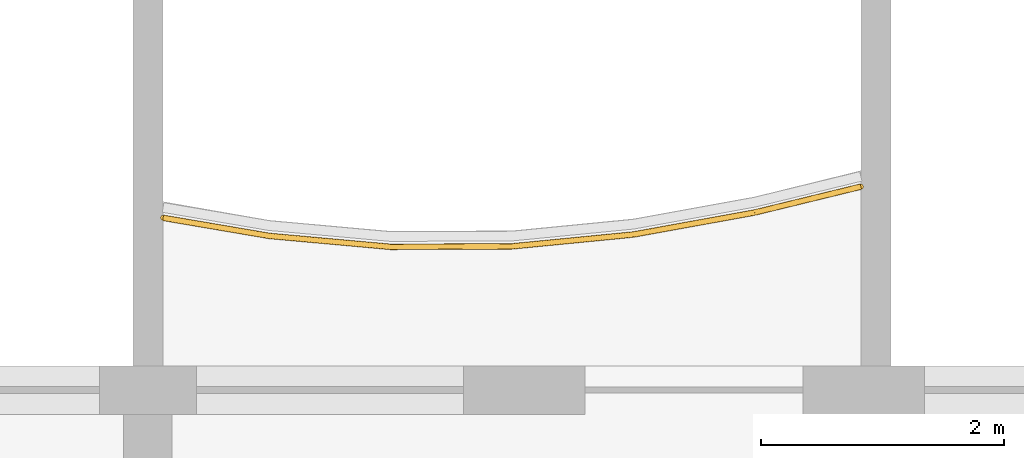
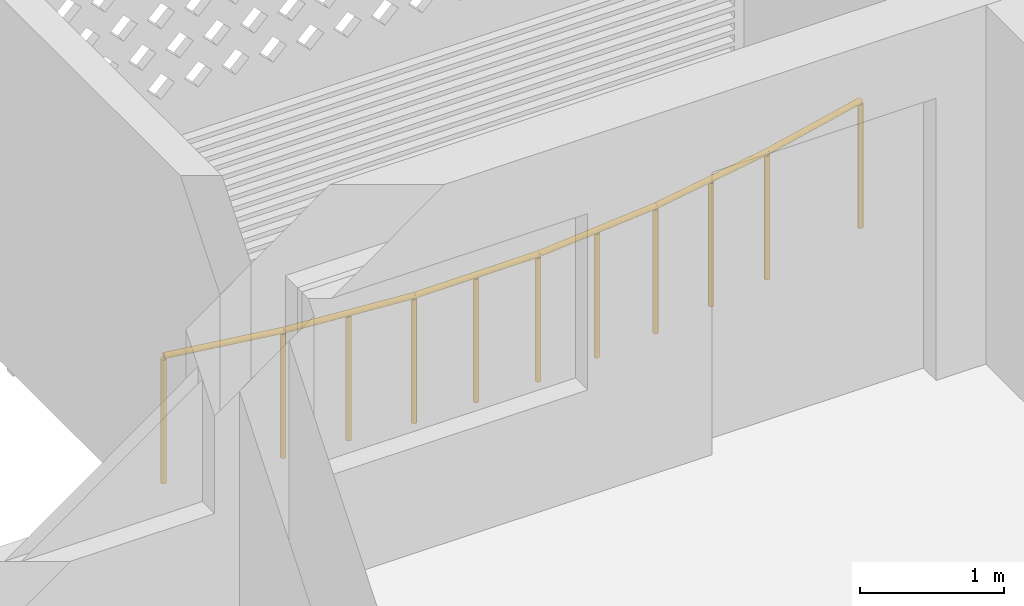
# One storey, part 26 of 40: 1 railing.
"""IFC4 building model written with IfcOpenShell, lengths in metres."""

from ifc_helpers import new_model, si_unit, direction, frame, origin, origin_2d, place, context, subcontext, project, spatial, circle, extrude, material, type_object, element, save


model = new_model("IFC4")

# Units and contexts
model_context = context("Model", 3, precision=1e-05, world=origin(), true_north=direction((0.0, 1.0)))
body_context = subcontext(model_context, "Body", "Model", "MODEL_VIEW")
ifc_project = project(units=[si_unit("LENGTHUNIT", "METRE"), si_unit("AREAUNIT", "SQUARE_METRE"), si_unit("VOLUMEUNIT", "CUBIC_METRE"), si_unit("PLANEANGLEUNIT", "RADIAN"), si_unit("MASSUNIT", "GRAM", prefix="KILO")], contexts=[model_context])

# Site, building, storey
site_placement = place(None, origin())
site = spatial("IfcSite", under=ifc_project, at=site_placement, CompositionType="ELEMENT")
building_placement = place(site_placement, origin())
building = spatial("IfcBuilding", under=site, at=building_placement, Name="Poui Terraces", CompositionType="ELEMENT")
storey_placement = place(building_placement, frame((0.0, 0.0, 36.60009765625)))
storey = spatial("IfcBuildingStorey", under=building, at=storey_placement, Name="L09", CompositionType="ELEMENT", Elevation=36.60009765625)

# Railing
ifc_material = material(Name="Painted steel fretwork", Category="steel")
railing_type = type_object("IfcRailingType", Name="BALCONY GUARD 1100", PredefinedType="GUARDRAIL", material=ifc_material)
railing_placement = place(storey_placement, frame((36.125, 46.21923828125, 0.0)))
element("IfcRailing", 1, at=railing_placement, inside=storey, type_object=railing_type, Name="BALCONY GUARD", PredefinedType="GUARDRAIL", context=body_context, shape_type="SweptSolid", body=[
    extrude(circle(Radius=0.02392578125, at=origin_2d()), frame((0.0, 0.0, 1.076171875), z_axis=(0.985823105924, -0.167787972828, 0.0), x_axis=(0.167787972828, 0.985823105924, 0.0)), (0.0, 0.0, 1.0), 0.8876953125),
    extrude(circle(Radius=0.02392578125, at=origin_2d()), frame((0.875, -0.14892578125, 1.076171875), z_axis=(0.995944862323, -0.089965722427, 0.0), x_axis=(0.089965722427, 0.995944862323, 0.0)), (0.0, 0.0, 1.0), 1.004150390625),
    extrude(circle(Radius=0.02392578125, at=origin_2d()), frame((1.875, -0.2392578125, 1.076171875), z_axis=(0.99999138724, 0.004150354879, 0.0), x_axis=(-0.004150354879, 0.99999138724, 0.0)), (0.0, 0.0, 1.0), 1.0),
    extrude(circle(Radius=0.02392578125, at=origin_2d()), frame((2.875, -0.235107421875, 1.076171875), z_axis=(0.995265465661, 0.097193893131, 0.0), x_axis=(-0.097193893131, 0.995265465661, 0.0)), (0.0, 0.0, 1.0), 1.004638671875),
    extrude(circle(Radius=0.02392578125, at=origin_2d()), frame((3.875, -0.137451171875, 1.076171875), z_axis=(0.983942855126, 0.178483774746, 0.0), x_axis=(-0.178483774746, 0.983942855126, 0.0)), (0.0, 0.0, 1.0), 1.016357421875),
    extrude(circle(Radius=0.02392578125, at=origin_2d()), frame((4.875, 0.0439453125, 1.076171875), z_axis=(0.971591834647, 0.236662854812, 0.0), x_axis=(-0.236662854812, 0.971591834647, 0.0)), (0.0, 0.0, 1.0), 0.900634765625),
    extrude(circle(Radius=0.02099609375, at=origin_2d()), origin(), (0.0, 0.0, 1.0), 1.052001953125),
    extrude(circle(Radius=0.02099609375, at=origin_2d()), frame((0.875, -0.14892578125, 0.0)), (0.0, 0.0, 1.0), 1.052001953125),
    extrude(circle(Radius=0.02099609375, at=origin_2d()), frame((1.375, -0.194091796875, 0.0)), (0.0, 0.0, 1.0), 1.052001953125),
    extrude(circle(Radius=0.02099609375, at=origin_2d()), frame((1.875, -0.2392578125, 0.0)), (0.0, 0.0, 1.0), 1.052001953125),
    extrude(circle(Radius=0.02099609375, at=origin_2d()), frame((2.375, -0.2373046875, 0.0)), (0.0, 0.0, 1.0), 1.052001953125),
    extrude(circle(Radius=0.02099609375, at=origin_2d()), frame((2.875, -0.235107421875, 0.0)), (0.0, 0.0, 1.0), 1.052001953125),
    extrude(circle(Radius=0.02099609375, at=origin_2d()), frame((3.375, -0.186279296875, 0.0)), (0.0, 0.0, 1.0), 1.052001953125),
    extrude(circle(Radius=0.02099609375, at=origin_2d()), frame((3.875, -0.137451171875, 0.0)), (0.0, 0.0, 1.0), 1.052001953125),
    extrude(circle(Radius=0.02099609375, at=origin_2d()), frame((4.375, -0.046875, 0.0)), (0.0, 0.0, 1.0), 1.052001953125),
    extrude(circle(Radius=0.02099609375, at=origin_2d()), frame((4.875, 0.0439453125, 0.0)), (0.0, 0.0, 1.0), 1.052001953125),
    extrude(circle(Radius=0.02099609375, at=origin_2d()), frame((5.75, 0.257080078125, 0.0)), (0.0, 0.0, 1.0), 1.052001953125),
])

save(model, "model.ifc")
